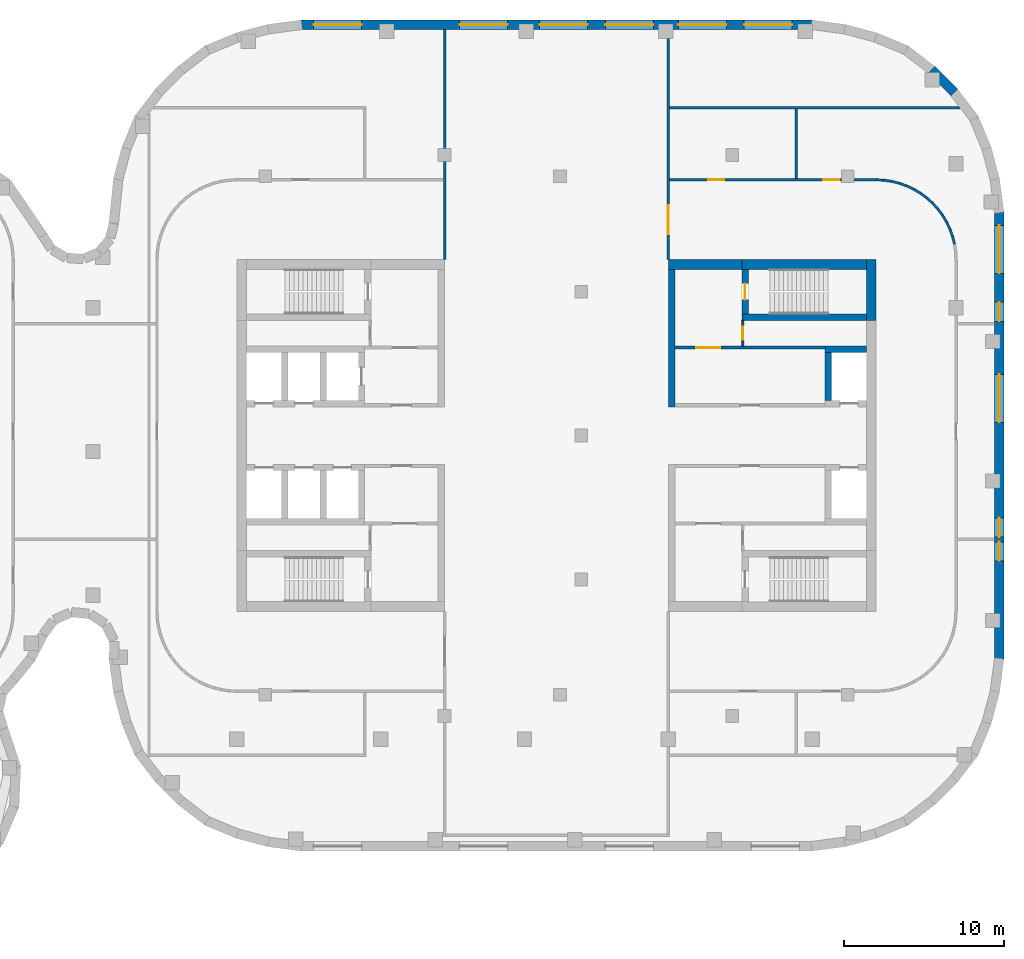
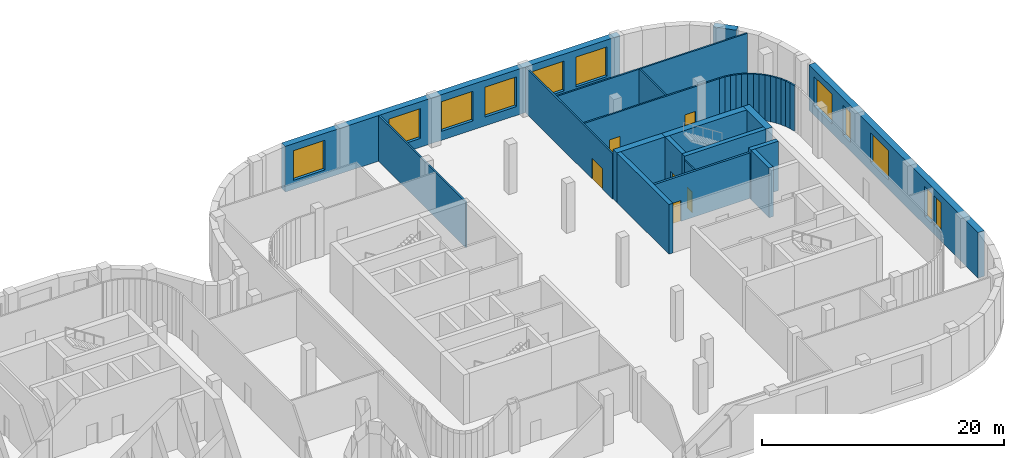
# One storey, part 16 of 20: 32 walls, 11 windows, 6 doors, 17 openings.
"""IFC4 building model written with IfcOpenShell, lengths in metres."""

import ifcopenshell
import ifcopenshell.guid

model = None  # the IFC model being written
_history = None  # IfcOwnerHistory: only IFC2X3 demands one
_inside = {}  # id of a spatial element -> (the spatial element, [elements in it])
_under = {}  # id of a project, library or spatial element -> (it, [spatial elements below it])
_declared = {}  # id of a project -> (the project, [libraries it declares])
_typed = {}  # id of a type object -> (the type object, [elements of that type])
_made_of = {}  # id of a material, layer set ... -> (it, [elements and type objects made of it])


def new_model(schema):
    """Start an empty IFC model of exactly this schema.

    Asked for "IFC4X3", IfcOpenShell would pick the latest addendum, in which some entities
    have other attributes; the version numbers below select the first issue.
    IFC2X3 requires an IfcOwnerHistory on every rooted entity: one is made here for all.
    """
    global model, _history
    if schema == "IFC4X3":
        model = ifcopenshell.file(schema_version=(4, 3, 0, 0))
    else:
        model = ifcopenshell.file(schema=schema)
    _inside.clear()
    _under.clear()
    _declared.clear()
    _typed.clear()
    _made_of.clear()
    _history = None
    if model.schema == "IFC2X3":
        org = make("IfcOrganization", Name="unknown")
        user = make(
            "IfcPersonAndOrganization",
            ThePerson=make("IfcPerson", FamilyName="unknown"),
            TheOrganization=org,
        )
        app = make(
            "IfcApplication",
            ApplicationDeveloper=org,
            Version="unknown",
            ApplicationFullName="unknown",
            ApplicationIdentifier="unknown",
        )
        _history = make(
            "IfcOwnerHistory",
            OwningUser=user,
            OwningApplication=app,
            ChangeAction="ADDED",
            CreationDate=0,
        )
    return model


def make(cls, **values):
    """One entity of the class cls with the attributes given. An attribute that is None is left unset."""
    return model.create_entity(
        cls, **{name: value for name, value in values.items() if value is not None}
    )


def rooted(cls, **values):
    """An entity with a GlobalId (a new one), such as an element, a storey or a relation."""
    return make(cls, GlobalId=ifcopenshell.guid.new(), OwnerHistory=_history, **values)


def si_unit(unit_type, name, prefix=None):
    """IfcSIUnit, for example si_unit("LENGTHUNIT", "METRE", prefix="MILLI")."""
    return make("IfcSIUnit", UnitType=unit_type, Prefix=prefix, Name=name)


def assignment(units):
    """IfcUnitAssignment: the units of a project."""
    return None if units is None else make("IfcUnitAssignment", Units=units)


def point(xyz):
    """IfcCartesianPoint."""
    return None if xyz is None else make("IfcCartesianPoint", Coordinates=xyz)


def direction(xyz):
    """IfcDirection."""
    return None if xyz is None else make("IfcDirection", DirectionRatios=xyz)


def frame(location, z_axis=None, x_axis=None):
    """IfcAxis2Placement3D, a coordinate frame: its origin and axes. An axis left out is left unset."""
    return make(
        "IfcAxis2Placement3D",
        Location=point(location),
        Axis=direction(z_axis),
        RefDirection=direction(x_axis),
    )


def frame_2d(location, x_axis=None):
    """IfcAxis2Placement2D, a coordinate frame in the plane: its origin and x axis."""
    return make(
        "IfcAxis2Placement2D", Location=point(location), RefDirection=direction(x_axis)
    )


def origin():
    """The frame at (0, 0, 0) with its axes left unset."""
    return frame((0.0, 0.0, 0.0))


def place(relative_to, where):
    """IfcLocalPlacement: puts the frame where relative to a parent placement (None: the world)."""
    return make(
        "IfcLocalPlacement", PlacementRelTo=relative_to, RelativePlacement=where
    )


def context(
    kind, dimensions, precision=None, world=None, true_north=None, identifier=None
):
    """IfcGeometricRepresentationContext, for example the 3D "Model" context."""
    return make(
        "IfcGeometricRepresentationContext",
        ContextIdentifier=identifier,
        ContextType=kind,
        CoordinateSpaceDimension=dimensions,
        Precision=precision,
        WorldCoordinateSystem=world,
        TrueNorth=true_north,
    )


def subcontext(parent, identifier, kind, view, scale=None):
    """IfcGeometricRepresentationSubContext, for example "Body" below "Model"."""
    return make(
        "IfcGeometricRepresentationSubContext",
        ContextIdentifier=identifier,
        ContextType=kind,
        ParentContext=parent,
        TargetScale=scale,
        TargetView=view,
    )


def project(units=None, contexts=None):
    """IfcProject with its units and contexts."""
    return rooted(
        "IfcProject",
        Name="project",
        RepresentationContexts=contexts,
        UnitsInContext=assignment(units),
    )


def spatial(cls, under=None, at=None, **own):
    """A site, building, storey or space (cls), placed at a placement, below another one or the project."""
    s = rooted(cls, ObjectPlacement=at, **own)
    if under is not None:
        _under.setdefault(under.id(), (under, []))[1].append(s)
    return s


def profile(cls, at=None, kind="AREA", **sizes):
    """A parametric profile (cls). Its sizes go by their IFC names, for example OverallWidth=200.0."""
    return make(cls, ProfileType=kind, Position=at, **sizes)


def rectangle(**sizes):
    """IfcRectangleProfileDef."""
    return profile("IfcRectangleProfileDef", **sizes)


def extrude(swept, where, along, depth):
    """IfcExtrudedAreaSolid: the profile swept, set in the frame where, extruded along a direction by depth."""
    return make(
        "IfcExtrudedAreaSolid",
        SweptArea=swept,
        Position=where,
        ExtrudedDirection=direction(along),
        Depth=depth,
    )


def shape(context_of_items, identifier, shape_type, items):
    """IfcShapeRepresentation: the items that make up one representation, for example the "Body"."""
    return make(
        "IfcShapeRepresentation",
        ContextOfItems=context_of_items,
        RepresentationIdentifier=identifier,
        RepresentationType=shape_type,
        Items=items,
    )


def material(Name=None, Category=None):
    """IfcMaterial."""
    return make("IfcMaterial", Name=Name, Category=Category)


def layer(
    of_material, thickness, ventilated=None, Name=None, Category=None, Priority=None
):
    """IfcMaterialLayer: one layer of a wall or slab, of a material (None: an air gap)."""
    return make(
        "IfcMaterialLayer",
        Material=of_material,
        LayerThickness=thickness,
        IsVentilated=ventilated,
        Name=Name,
        Category=Category,
        Priority=Priority,
    )


def layer_set(layers, Name=None):
    """IfcMaterialLayerSet."""
    return make("IfcMaterialLayerSet", MaterialLayers=layers, LayerSetName=Name)


def made_of(thing, what):
    """Note that an element or type object is made of a material, layer set ...; save() writes the relation."""
    if what is not None:
        _made_of.setdefault(what.id(), (what, []))[1].append(thing)
    return thing


def type_object(cls, material=None, **own):
    """A type object (cls), such as IfcWallType, which elements share."""
    return made_of(rooted(cls, **own), material)


def element(
    cls,
    number,
    at=None,
    inside=None,
    cuts=None,
    type_object=None,
    material=None,
    context=None,
    identifier="Body",
    shape_type=None,
    held_by="IfcProductDefinitionShape",
    body=None,
    shapes=None,
    **own,
):
    """One element of the class cls, such as IfcWall. Its Tag is "e" and its number.

    at: its placement. inside: the storey or other place that contains it. cuts: it is an
    opening in that element (IfcRelVoidsElement). A single representation is given by context,
    identifier, shape_type and body (its items); several are given by shapes. held_by: the class
    of the entity that holds the representations. save() writes the other relations.
    """
    e = rooted(cls, Tag="e%d" % number, ObjectPlacement=at, **own)
    if body is not None:
        shapes = [shape(context, identifier, shape_type, body)]
    if shapes is not None:
        e.Representation = make(held_by, Representations=shapes)
    if inside is not None:
        _inside.setdefault(inside.id(), (inside, []))[1].append(e)
    if cuts is not None:
        rooted(
            "IfcRelVoidsElement", RelatingBuildingElement=cuts, RelatedOpeningElement=e
        )
    if type_object is not None:
        _typed.setdefault(type_object.id(), (type_object, []))[1].append(e)
    return made_of(e, material)


def fill(opening, filler):
    """IfcRelFillsElement: the door or window that sits in an opening."""
    return rooted(
        "IfcRelFillsElement",
        RelatingOpeningElement=opening,
        RelatedBuildingElement=filler,
    )


def aggregate(whole, parts):
    """IfcRelAggregates: a whole, such as a stair, and the parts it consists of."""
    return rooted("IfcRelAggregates", RelatingObject=whole, RelatedObjects=parts)


def save(model, path):
    """Write the relations noted so far, then the file.

    IfcRelAggregates (storeys below a building ...), IfcRelContainedInSpatialStructure (elements
    in a storey), IfcRelDefinesByType, IfcRelAssociatesMaterial and IfcRelDeclares: one each for
    every whole, place, type object, material and project.
    """
    for whole, parts in _under.values():
        aggregate(whole, parts)
    for where, things in _inside.values():
        rooted(
            "IfcRelContainedInSpatialStructure",
            RelatedElements=things,
            RelatingStructure=where,
        )
    for kind, things in _typed.values():
        rooted("IfcRelDefinesByType", RelatedObjects=things, RelatingType=kind)
    for what, things in _made_of.values():
        rooted("IfcRelAssociatesMaterial", RelatedObjects=things, RelatingMaterial=what)
    for by, libraries in _declared.values():
        rooted("IfcRelDeclares", RelatingContext=by, RelatedDefinitions=libraries)
    model.write(path)


model = new_model("IFC4")

# Units and contexts
model_context = context("Model", 3, precision=1e-05, world=origin(), true_north=direction((0.0, 1.0)))
body_context = subcontext(model_context, "Body", "Model", "MODEL_VIEW")
ifc_project = project(units=[si_unit("LENGTHUNIT", "METRE"), si_unit("AREAUNIT", "SQUARE_METRE"), si_unit("VOLUMEUNIT", "CUBIC_METRE"), si_unit("PLANEANGLEUNIT", "RADIAN"), si_unit("MASSUNIT", "GRAM", prefix="KILO")], contexts=[model_context])

# Site, building, storey
site_placement = place(None, origin())
site = spatial("IfcSite", under=ifc_project, at=site_placement, CompositionType="ELEMENT")
building_placement = place(site_placement, origin())
building = spatial("IfcBuilding", under=site, at=building_placement, Name="Skarvind Civic Tower", CompositionType="ELEMENT")
storey_placement = place(building_placement, frame((0.0, 0.0, 17.5)))
storey = spatial("IfcBuildingStorey", under=building, at=storey_placement, Name="L03", CompositionType="ELEMENT", Elevation=17.5)

# Wall, opening, door
ifc_material_1 = material(Name="Fire-rated masonry partition", Category="masonry")
ifc_layer_1 = layer(ifc_material_1, 0.199951171875)
ifc_layer_set_1 = layer_set([ifc_layer_1], Name="Core enclosure wall 200")
wall_type_1 = type_object("IfcWallType", Name="Core enclosure wall 200", PredefinedType="PARTITIONING", material=ifc_layer_set_1)
wall_1_placement = place(storey_placement, frame((154.39990234375, 133.5, 0.0), z_axis=(0.0, 0.0, 1.0), x_axis=(1.0, 0.0, 0.0)))
wall_1 = element("IfcWall", 1, at=wall_1_placement, inside=storey, type_object=wall_type_1, Name="Core wall CB", PredefinedType="PARTITIONING", context=body_context, shape_type="SweptSolid", body=[
    extrude(rectangle(XDim=9.400146484375, YDim=0.199951171875, at=frame_2d((4.7001953125, 0.0))), origin(), (0.0, 0.0, 1.0), 4.60009765625),
])
opening_1_placement = place(wall_1_placement, frame((1.35009765625, 0.0, 0.0)))
opening_1 = element("IfcOpeningElement", 2, at=opening_1_placement, cuts=wall_1, Name="Opening D-L03-CB-08", PredefinedType="OPENING", context=body_context, shape_type="SweptSolid", body=[
    extrude(rectangle(XDim=1.5, YDim=2.10009765625, at=frame_2d((0.75, 1.050048828125))), frame((0.0, 0.10986328125, 0.0), z_axis=(0.0, -1.0, 0.0), x_axis=(1.0, 0.0, 0.0)), (0.0, 0.0, 1.0), 0.219970703125),
])
ifc_material_2 = material(Name="Fire-rated steel door", Category="steel")
door_type_1 = type_object("IfcDoorType", Name="Fire door 1500", OperationType="NOTDEFINED", PredefinedType="DOOR", material=ifc_material_2)
door_1_placement = place(opening_1_placement, origin())
door_1 = element("IfcDoor", 3, at=door_1_placement, inside=storey, type_object=door_type_1, Name="Fire door", OperationType="DOUBLE_DOOR_SINGLE_SWING", OverallHeight=2.10009765625, OverallWidth=1.5, PredefinedType="DOOR", context=body_context, shape_type="SweptSolid", body=[
    extrude(rectangle(XDim=1.5, YDim=2.10009765625, at=frame_2d((0.75, 1.050048828125))), frame((0.0, 0.02490234375, 0.0), z_axis=(0.0, -1.0, 0.0), x_axis=(1.0, 0.0, 0.0)), (0.0, 0.0, 1.0), 0.050048828125),
])
fill(opening_1, door_1)

# Wall
ifc_material_3 = material(Name="Concrete C80", Category="concrete")
ifc_layer_2 = layer(ifc_material_3, 0.39990234375)
ifc_layer_set_2 = layer_set([ifc_layer_2], Name="Core wall 400 C80")
wall_type_2 = type_object("IfcWallType", Name="Core wall 400 C80", PredefinedType="SHEAR", material=ifc_layer_set_2)
wall_2_placement = place(storey_placement, frame((166.39990234375, 135.39990234375, 0.0), z_axis=(0.0, 0.0, 1.0), x_axis=(-1.0, 0.0, 0.0)))
element("IfcWall", 4, at=wall_2_placement, inside=storey, type_object=wall_type_2, Name="Core wall CB south stair inner L03", PredefinedType="SHEAR", context=body_context, shape_type="SweptSolid", body=[
    extrude(rectangle(XDim=7.7998046875, YDim=0.39990234375, at=frame_2d((3.89990234375, 0.0))), origin(), (0.0, 0.0, 1.0), 5.0),
])

# Wall, opening, door
wall_3_placement = place(storey_placement, frame((158.800048828125, 138.39990234375, 0.0), z_axis=(0.0, 0.0, 1.0), x_axis=(0.0, -1.0, 0.0)))
wall_3 = element("IfcWall", 5, at=wall_3_placement, inside=storey, type_object=wall_type_2, Name="Core wall CB south stair end L03", PredefinedType="SHEAR", context=body_context, shape_type="SweptSolid", body=[
    extrude(rectangle(XDim=2.7998046875, YDim=0.39990234375, at=frame_2d((1.39990234375, 0.0))), origin(), (0.0, 0.0, 1.0), 5.0),
])
opening_2_placement = place(wall_3_placement, frame((0.89990234375, 0.0, 0.0)))
opening_2 = element("IfcOpeningElement", 6, at=opening_2_placement, cuts=wall_3, Name="Opening D-L03-CB-09", PredefinedType="OPENING", context=body_context, shape_type="SweptSolid", body=[
    extrude(rectangle(XDim=1.0, YDim=2.10009765625, at=frame_2d((0.5, 1.050048828125))), frame((0.0, 0.2099609375, 0.0), z_axis=(0.0, -1.0, 0.0), x_axis=(1.0, 0.0, 0.0)), (0.0, 0.0, 1.0), 0.419921875),
])
door_type_2 = type_object("IfcDoorType", Name="Fire door 1000", OperationType="NOTDEFINED", PredefinedType="DOOR", material=ifc_material_2)
door_2_placement = place(opening_2_placement, origin())
door_2 = element("IfcDoor", 7, at=door_2_placement, inside=storey, type_object=door_type_2, Name="Fire door", OperationType="SINGLE_SWING_RIGHT", OverallHeight=2.10009765625, OverallWidth=1.0, PredefinedType="DOOR", context=body_context, shape_type="SweptSolid", body=[
    extrude(rectangle(XDim=1.0, YDim=2.10009765625, at=frame_2d((0.5, 1.050048828125))), frame((0.0, 0.02490234375, 0.0), z_axis=(0.0, -1.0, 0.0), x_axis=(1.0, 0.0, 0.0)), (0.0, 0.0, 1.0), 0.050048828125),
])
fill(opening_2, door_2)

# Walls
wall_4_placement = place(storey_placement, frame((166.39990234375, 133.39990234375, 0.0), z_axis=(0.0, 0.0, 1.0), x_axis=(-1.0, 0.0, 0.0)))
element("IfcWall", 8, at=wall_4_placement, inside=storey, type_object=wall_type_2, Name="Core wall CB south lift row back L03", PredefinedType="SHEAR", context=body_context, shape_type="SweptSolid", body=[
    extrude(rectangle(XDim=2.599853515625, YDim=0.39990234375, at=frame_2d((1.2998046875, 0.0))), origin(), (0.0, 0.0, 1.0), 5.0),
])
wall_5_placement = place(storey_placement, frame((164.0, 133.199951171875, 0.0), z_axis=(0.0, 0.0, 1.0), x_axis=(0.0, -1.0, 0.0)))
element("IfcWall", 9, at=wall_5_placement, inside=storey, type_object=wall_type_2, Name="Core wall CB south lift row division 1 L03", PredefinedType="SHEAR", context=body_context, shape_type="SweptSolid", body=[
    extrude(rectangle(XDim=3.0, YDim=0.39990234375, at=frame_2d((1.5, 0.0))), origin(), (0.0, 0.0, 1.0), 5.0),
])
wall_6_placement = place(storey_placement, frame((154.199951171875, 138.39990234375, 0.0), z_axis=(0.0, 0.0, 1.0), x_axis=(0.0, -1.0, 0.0)))
element("IfcWall", 10, at=wall_6_placement, inside=storey, type_object=wall_type_2, Name="Core wall CB south inner face L03", PredefinedType="SHEAR", context=body_context, shape_type="SweptSolid", body=[
    extrude(rectangle(XDim=8.599853515625, YDim=0.39990234375, at=frame_2d((4.2998046875, 0.0))), origin(), (0.0, 0.0, 1.0), 5.0),
])
ifc_layer_3 = layer(ifc_material_3, 0.60009765625)
ifc_layer_set_3 = layer_set([ifc_layer_3], Name="Core wall 600 C80")
wall_type_3 = type_object("IfcWallType", Name="Core wall 600 C80", PredefinedType="SHEAR", material=ifc_layer_set_3)
wall_7_placement = place(storey_placement, frame((166.699951171875, 139.0, 0.0), z_axis=(0.0, 0.0, 1.0), x_axis=(0.0, -1.0, 0.0)))
element("IfcWall", 11, at=wall_7_placement, inside=storey, type_object=wall_type_3, Name="Core wall CB tip at the south stair L03", PredefinedType="SHEAR", context=body_context, shape_type="SweptSolid", body=[
    extrude(rectangle(XDim=3.800048828125, YDim=0.60009765625, at=frame_2d((1.89990234375, 0.0))), origin(), (0.0, 0.0, 1.0), 5.0),
])
wall_8_placement = place(storey_placement, frame((166.39990234375, 138.699951171875, 0.0), z_axis=(0.0, 0.0, 1.0), x_axis=(-1.0, 0.0, 0.0)))
element("IfcWall", 12, at=wall_8_placement, inside=storey, type_object=wall_type_3, Name="Core wall CB south side at the stair L03", PredefinedType="SHEAR", context=body_context, shape_type="SweptSolid", body=[
    extrude(rectangle(XDim=7.7998046875, YDim=0.60009765625, at=frame_2d((3.89990234375, 0.0))), origin(), (0.0, 0.0, 1.0), 5.0),
])
wall_9_placement = place(storey_placement, frame((158.60009765625, 138.699951171875, 0.0), z_axis=(0.0, 0.0, 1.0), x_axis=(-1.0, 0.0, 0.0)))
element("IfcWall", 13, at=wall_9_placement, inside=storey, type_object=wall_type_3, Name="Core wall CB south side L03", PredefinedType="SHEAR", context=body_context, shape_type="SweptSolid", body=[
    extrude(rectangle(XDim=4.60009765625, YDim=0.60009765625, at=frame_2d((2.300048828125, 0.0))), origin(), (0.0, 0.0, 1.0), 5.0),
])
ifc_material_4 = material(Name="Plasterboard partition on steel studs", Category="steel")
ifc_layer_4 = layer(ifc_material_4, 0.14990234375)
ifc_layer_set_4 = layer_set([ifc_layer_4], Name="PARTITION 150")
wall_type_4 = type_object("IfcWallType", Name="PARTITION 150", PredefinedType="PARTITIONING", material=ifc_layer_set_4)
wall_10_placement = place(storey_placement, frame((140.0, 139.0, 0.0), z_axis=(0.0, 0.0, 1.0), x_axis=(0.0, 1.0, 0.0)))
element("IfcWall", 14, at=wall_10_placement, inside=storey, type_object=wall_type_4, Name="Podium partition L03 278", PredefinedType="PARTITIONING", context=body_context, shape_type="SweptSolid", body=[
    extrude(rectangle(XDim=14.39990234375, YDim=0.14990234375, at=frame_2d((7.199951171875, 0.0))), origin(), (0.0, 0.0, 1.0), 4.60009765625),
])

# Wall, opening, door
wall_11_placement = place(storey_placement, frame((154.0, 153.39990234375, 0.0), z_axis=(0.0, 0.0, 1.0), x_axis=(0.0, -1.0, 0.0)))
wall_11 = element("IfcWall", 15, at=wall_11_placement, inside=storey, type_object=wall_type_4, Name="Podium partition L03 282", PredefinedType="PARTITIONING", context=body_context, shape_type="SweptSolid", body=[
    extrude(rectangle(XDim=14.39990234375, YDim=0.14990234375, at=frame_2d((7.199951171875, 0.0))), origin(), (0.0, 0.0, 1.0), 4.60009765625),
])
opening_3_placement = place(wall_11_placement, frame((11.0, 0.0, 0.0)))
opening_3 = element("IfcOpeningElement", 16, at=opening_3_placement, cuts=wall_11, Name="Opening L03-D237", PredefinedType="OPENING", context=body_context, shape_type="SweptSolid", body=[
    extrude(rectangle(XDim=1.800048828125, YDim=2.10009765625, at=frame_2d((0.89990234375, 1.050048828125))), frame((0.0, 0.0849609375, 0.0), z_axis=(0.0, -1.0, 0.0), x_axis=(1.0, 0.0, 0.0)), (0.0, 0.0, 1.0), 0.169921875),
])
ifc_material_5 = material(Name="Timber veneer door leaf", Category="wood")
door_type_3 = type_object("IfcDoorType", Name="DOOR 1800X2100 DOUBLE TIMBER", OperationType="NOTDEFINED", PredefinedType="DOOR", material=ifc_material_5)
door_3_placement = place(opening_3_placement, origin())
door_3 = element("IfcDoor", 17, at=door_3_placement, inside=storey, type_object=door_type_3, Name="DOOR DOOR", OperationType="DOUBLE_DOOR_SINGLE_SWING", OverallHeight=2.10009765625, OverallWidth=1.800048828125, PredefinedType="DOOR", context=body_context, shape_type="SweptSolid", body=[
    extrude(rectangle(XDim=1.800048828125, YDim=2.10009765625, at=frame_2d((0.89990234375, 1.050048828125))), frame((0.0, 0.02490234375, 0.0), z_axis=(0.0, -1.0, 0.0), x_axis=(1.0, 0.0, 0.0)), (0.0, 0.0, 1.0), 0.050048828125),
])
fill(opening_3, door_3)

# Wall, openings, doors
wall_12_placement = place(storey_placement, frame((154.074951171875, 144.0, 0.0), z_axis=(0.0, 0.0, 1.0), x_axis=(1.0, 0.0, 0.0)))
wall_12 = element("IfcWall", 18, at=wall_12_placement, inside=storey, type_object=wall_type_4, Name="Podium partition L03 283", PredefinedType="PARTITIONING", context=body_context, shape_type="SweptSolid", body=[
    extrude(rectangle(XDim=12.927001953125, YDim=0.14990234375, at=frame_2d((6.46337890625, 0.0))), origin(), (0.0, 0.0, 1.0), 4.60009765625),
])
opening_4_placement = place(wall_12_placement, frame((2.427001953125, 0.0, 0.0)))
opening_4 = element("IfcOpeningElement", 19, at=opening_4_placement, cuts=wall_12, Name="Opening L03-D238", PredefinedType="OPENING", context=body_context, shape_type="SweptSolid", body=[
    extrude(rectangle(XDim=1.0, YDim=2.10009765625, at=frame_2d((0.5, 1.050048828125))), frame((0.0, 0.0849609375, 0.0), z_axis=(0.0, -1.0, 0.0), x_axis=(1.0, 0.0, 0.0)), (0.0, 0.0, 1.0), 0.169921875),
])
opening_5_placement = place(wall_12_placement, frame((9.623046875, 0.0, 0.0)))
opening_5 = element("IfcOpeningElement", 20, at=opening_5_placement, cuts=wall_12, Name="Opening L03-D241", PredefinedType="OPENING", context=body_context, shape_type="SweptSolid", body=[
    extrude(rectangle(XDim=1.0, YDim=2.10009765625, at=frame_2d((0.5, 1.050048828125))), frame((0.0, 0.0849609375, 0.0), z_axis=(0.0, -1.0, 0.0), x_axis=(1.0, 0.0, 0.0)), (0.0, 0.0, 1.0), 0.169921875),
])
door_type_4 = type_object("IfcDoorType", Name="DOOR 1000X2100 TIMBER", OperationType="NOTDEFINED", PredefinedType="DOOR", material=ifc_material_5)
door_4_placement = place(opening_4_placement, origin())
door_4 = element("IfcDoor", 21, at=door_4_placement, inside=storey, type_object=door_type_4, Name="DOOR DOOR", OperationType="SINGLE_SWING_LEFT", OverallHeight=2.10009765625, OverallWidth=1.0, PredefinedType="DOOR", context=body_context, shape_type="SweptSolid", body=[
    extrude(rectangle(XDim=1.0, YDim=2.10009765625, at=frame_2d((0.5, 1.050048828125))), frame((0.0, 0.02490234375, 0.0), z_axis=(0.0, -1.0, 0.0), x_axis=(1.0, 0.0, 0.0)), (0.0, 0.0, 1.0), 0.050048828125),
])
fill(opening_4, door_4)
door_5_placement = place(opening_5_placement, origin())
door_5 = element("IfcDoor", 22, at=door_5_placement, inside=storey, type_object=door_type_4, Name="DOOR DOOR", OperationType="SINGLE_SWING_LEFT", OverallHeight=2.10009765625, OverallWidth=1.0, PredefinedType="DOOR", context=body_context, shape_type="SweptSolid", body=[
    extrude(rectangle(XDim=1.0, YDim=2.10009765625, at=frame_2d((0.5, 1.050048828125))), frame((0.0, 0.02490234375, 0.0), z_axis=(0.0, -1.0, 0.0), x_axis=(1.0, 0.0, 0.0)), (0.0, 0.0, 1.0), 0.050048828125),
])
fill(opening_5, door_5)

# Walls
wall_13_placement = place(storey_placement, frame((154.074951171875, 148.5, 0.0), z_axis=(0.0, 0.0, 1.0), x_axis=(1.0, 0.0, 0.0)))
element("IfcWall", 23, at=wall_13_placement, inside=storey, type_object=wall_type_4, Name="Podium partition L03 284", PredefinedType="PARTITIONING", context=body_context, shape_type="SweptSolid", body=[
    extrude(rectangle(XDim=18.173095703125, YDim=0.14990234375, at=frame_2d((9.08642578125, 0.0))), origin(), (0.0, 0.0, 1.0), 4.60009765625),
])
wall_14_placement = place(storey_placement, frame((162.0, 144.074951171875, 0.0), z_axis=(0.0, 0.0, 1.0), x_axis=(0.0, 1.0, 0.0)))
element("IfcWall", 24, at=wall_14_placement, inside=storey, type_object=wall_type_4, Name="Podium partition L03 286", PredefinedType="PARTITIONING", context=body_context, shape_type="SweptSolid", body=[
    extrude(rectangle(XDim=4.35009765625, YDim=0.14990234375, at=frame_2d((2.175048828125, 0.0))), origin(), (0.0, 0.0, 1.0), 4.60009765625),
])
wall_15_placement = place(storey_placement, frame((166.998046875, 144.0, 0.0), z_axis=(0.0, 0.0, 1.0), x_axis=(0.998837896651, -0.048196018647, 0.0)))
element("IfcWall", 25, at=wall_15_placement, inside=storey, type_object=wall_type_4, Name="Podium partition L03 288", PredefinedType="PARTITIONING", context=body_context, shape_type="SweptSolid", body=[
    extrude(rectangle(XDim=0.496337890625, YDim=0.14990234375, at=frame_2d((0.248046875, 0.0))), origin(), (0.0, 0.0, 1.0), 4.60009765625),
])
wall_16_placement = place(storey_placement, frame((167.486083984375, 143.97705078125, 0.0), z_axis=(0.0, 0.0, 1.0), x_axis=(0.988925572052, -0.148412307247, 0.0)))
element("IfcWall", 26, at=wall_16_placement, inside=storey, type_object=wall_type_4, Name="Podium partition L03 290", PredefinedType="PARTITIONING", context=body_context, shape_type="SweptSolid", body=[
    extrude(rectangle(XDim=0.49853515625, YDim=0.14990234375, at=frame_2d((0.249267578125, 0.0))), origin(), (0.0, 0.0, 1.0), 4.60009765625),
])
wall_17_placement = place(storey_placement, frame((167.970947265625, 143.905029296875, 0.0), z_axis=(0.0, 0.0, 1.0), x_axis=(0.970113715952, -0.242650732785, 0.0)))
element("IfcWall", 27, at=wall_17_placement, inside=storey, type_object=wall_type_4, Name="Podium partition L03 292", PredefinedType="PARTITIONING", context=body_context, shape_type="SweptSolid", body=[
    extrude(rectangle(XDim=0.4990234375, YDim=0.14990234375, at=frame_2d((0.24951171875, 0.0))), origin(), (0.0, 0.0, 1.0), 4.60009765625),
])
for number, where, z_axis, x_axis, name in (
    (28, (168.447021484375, 143.785888671875, 0.0), (0.0, 0.0, 1.0), (0.941442168887, -0.3371744988, 0.0), "Podium partition L03 294"),
    (29, (168.909912109375, 143.62109375, 0.0), (0.0, 0.0, 1.0), (0.903827641978, -0.427896709028, 0.0), "Podium partition L03 296"),
):
    element("IfcWall", number, at=place(storey_placement, frame(where, z_axis=z_axis, x_axis=x_axis)), inside=storey, type_object=wall_type_4, Name=name, PredefinedType="PARTITIONING", context=body_context, shape_type="SweptSolid", body=[
        extrude(rectangle(XDim=0.498046875, YDim=0.14990234375, at=frame_2d((0.2490234375, 0.0))), origin(), (0.0, 0.0, 1.0), 4.60009765625),
    ])
wall_18_placement = place(storey_placement, frame((169.35400390625, 143.412109375, 0.0), z_axis=(0.0, 0.0, 1.0), x_axis=(0.85671397893, -0.515791778052, 0.0)))
element("IfcWall", 30, at=wall_18_placement, inside=storey, type_object=wall_type_4, Name="Podium partition L03 298", PredefinedType="PARTITIONING", context=body_context, shape_type="SweptSolid", body=[
    extrude(rectangle(XDim=0.49853515625, YDim=0.14990234375, at=frame_2d((0.249267578125, 0.0))), origin(), (0.0, 0.0, 1.0), 4.60009765625),
])
wall_19_placement = place(storey_placement, frame((169.77490234375, 143.158935546875, 0.0), z_axis=(0.0, 0.0, 1.0), x_axis=(0.80404358372, -0.594570362092, 0.0)))
element("IfcWall", 31, at=wall_19_placement, inside=storey, type_object=wall_type_4, Name="Podium partition L03 300", PredefinedType="PARTITIONING", context=body_context, shape_type="SweptSolid", body=[
    extrude(rectangle(XDim=0.49755859375, YDim=0.14990234375, at=frame_2d((0.248779296875, 0.0))), origin(), (0.0, 0.0, 1.0), 4.60009765625),
])
for number, where, z_axis, x_axis, name in (
    (32, (170.1689453125, 142.866943359375, 0.0), (0.0, 0.0, 1.0), (0.742416880587, -0.66993818776, 0.0), "Podium partition L03 302"),
    (33, (170.532958984375, 142.5390625, 0.0), (0.0, 0.0, 1.0), (0.66993818776, -0.742416880587, 0.0), "Podium partition L03 304"),
):
    element("IfcWall", number, at=place(storey_placement, frame(where, z_axis=z_axis, x_axis=x_axis)), inside=storey, type_object=wall_type_4, Name=name, PredefinedType="PARTITIONING", context=body_context, shape_type="SweptSolid", body=[
        extrude(rectangle(XDim=0.49853515625, YDim=0.14990234375, at=frame_2d((0.249267578125, 0.0))), origin(), (0.0, 0.0, 1.0), 4.60009765625),
    ])
wall_20_placement = place(storey_placement, frame((170.863037109375, 142.175048828125, 0.0), z_axis=(0.0, 0.0, 1.0), x_axis=(0.594570362092, -0.80404358372, 0.0)))
element("IfcWall", 34, at=wall_20_placement, inside=storey, type_object=wall_type_4, Name="Podium partition L03 306", PredefinedType="PARTITIONING", context=body_context, shape_type="SweptSolid", body=[
    extrude(rectangle(XDim=0.49755859375, YDim=0.14990234375, at=frame_2d((0.248779296875, 0.0))), origin(), (0.0, 0.0, 1.0), 4.60009765625),
])
wall_21_placement = place(storey_placement, frame((171.155029296875, 141.781005859375, 0.0), z_axis=(0.0, 0.0, 1.0), x_axis=(0.515791778052, -0.85671397893, 0.0)))
element("IfcWall", 35, at=wall_21_placement, inside=storey, type_object=wall_type_4, Name="Podium partition L03 308", PredefinedType="PARTITIONING", context=body_context, shape_type="SweptSolid", body=[
    extrude(rectangle(XDim=0.49853515625, YDim=0.14990234375, at=frame_2d((0.249267578125, 0.0))), origin(), (0.0, 0.0, 1.0), 4.60009765625),
])
for number, where, z_axis, x_axis, name in (
    (36, (171.407958984375, 141.360107421875, 0.0), (0.0, 0.0, 1.0), (0.427896709028, -0.903827641978, 0.0), "Podium partition L03 310"),
    (37, (171.617919921875, 140.916015625, 0.0), (0.0, 0.0, 1.0), (0.3371744988, -0.941442168887, 0.0), "Podium partition L03 312"),
):
    element("IfcWall", number, at=place(storey_placement, frame(where, z_axis=z_axis, x_axis=x_axis)), inside=storey, type_object=wall_type_4, Name=name, PredefinedType="PARTITIONING", context=body_context, shape_type="SweptSolid", body=[
        extrude(rectangle(XDim=0.498046875, YDim=0.14990234375, at=frame_2d((0.2490234375, 0.0))), origin(), (0.0, 0.0, 1.0), 4.60009765625),
    ])
wall_22_placement = place(storey_placement, frame((171.783935546875, 140.455078125, 0.0), z_axis=(0.0, 0.0, 1.0), x_axis=(0.242650732785, -0.970113715952, 0.0)))
element("IfcWall", 38, at=wall_22_placement, inside=storey, type_object=wall_type_4, Name="Podium partition L03 314", PredefinedType="PARTITIONING", context=body_context, shape_type="SweptSolid", body=[
    extrude(rectangle(XDim=0.4990234375, YDim=0.14990234375, at=frame_2d((0.24951171875, 0.0))), origin(), (0.0, 0.0, 1.0), 4.60009765625),
])

# Wall, opening, door
ifc_layer_5 = layer(ifc_material_1, 0.125)
ifc_layer_set_5 = layer_set([ifc_layer_5], Name="Riser wall 125")
wall_type_5 = type_object("IfcWallType", Name="Riser wall 125", PredefinedType="PARTITIONING", material=ifc_layer_set_5)
wall_23_placement = place(storey_placement, frame((158.66259765625, 133.60009765625, 0.0), z_axis=(0.0, 0.0, 1.0), x_axis=(0.0, 1.0, 0.0)))
wall_23 = element("IfcWall", 39, at=wall_23_placement, inside=storey, type_object=wall_type_5, Name="Core wall CB", PredefinedType="PARTITIONING", context=body_context, shape_type="SweptSolid", body=[
    extrude(rectangle(XDim=1.599853515625, YDim=0.125, at=frame_2d((0.7998046875, 0.0))), origin(), (0.0, 0.0, 1.0), 4.60009765625),
])
opening_6_placement = place(wall_23_placement, frame((0.39990234375, 0.0, 0.0)))
opening_6 = element("IfcOpeningElement", 40, at=opening_6_placement, cuts=wall_23, Name="Opening D-L03-CB-10", PredefinedType="OPENING", context=body_context, shape_type="SweptSolid", body=[
    extrude(rectangle(XDim=0.800048828125, YDim=2.10009765625, at=frame_2d((0.39990234375, 1.050048828125))), frame((0.0, 0.072509765625, 0.0), z_axis=(0.0, -1.0, 0.0), x_axis=(1.0, 0.0, 0.0)), (0.0, 0.0, 1.0), 0.14501953125),
])
door_type_5 = type_object("IfcDoorType", Name="Core riser door 800", OperationType="NOTDEFINED", PredefinedType="DOOR", material=ifc_material_2)
door_6_placement = place(opening_6_placement, origin())
door_6 = element("IfcDoor", 41, at=door_6_placement, inside=storey, type_object=door_type_5, Name="Riser door", OperationType="SINGLE_SWING_LEFT", OverallHeight=2.10009765625, OverallWidth=0.800048828125, PredefinedType="DOOR", context=body_context, shape_type="SweptSolid", body=[
    extrude(rectangle(XDim=0.800048828125, YDim=2.10009765625, at=frame_2d((0.39990234375, 1.050048828125))), frame((0.0, 0.02490234375, 0.0), z_axis=(0.0, -1.0, 0.0), x_axis=(1.0, 0.0, 0.0)), (0.0, 0.0, 1.0), 0.050048828125),
])
fill(opening_6, door_6)

# Wall, openings, windows
ifc_material_6 = material(Name="Limestone masonry cladding on insulated backing", Category="masonry")
ifc_layer_6 = layer(ifc_material_6, 0.60009765625)
ifc_layer_set_6 = layer_set([ifc_layer_6], Name="WX1 STONE FACADE WALL 600")
wall_type_6 = type_object("IfcWallType", Name="WX1 STONE FACADE WALL 600", PredefinedType="SOLIDWALL", material=ifc_layer_set_6)
wall_24_placement = place(storey_placement, frame((174.699951171875, 141.978271484375, 0.0), z_axis=(0.0, 0.0, 1.0), x_axis=(0.0, -1.0, 0.0)))
wall_24 = element("IfcWall", 42, at=wall_24_placement, inside=storey, type_object=wall_type_6, Name="STONE FACADE WALL", PredefinedType="SOLIDWALL", context=body_context, shape_type="SweptSolid", body=[
    extrude(rectangle(XDim=27.95654296875, YDim=0.60009765625, at=frame_2d((13.978271484375, 0.0))), origin(), (0.0, 0.0, 1.0), 4.60009765625),
])
opening_7_placement = place(wall_24_placement, frame((0.82958984375, 0.0, 0.89990234375)))
opening_7 = element("IfcOpeningElement", 43, at=opening_7_placement, cuts=wall_24, Name="Opening WN2", PredefinedType="OPENING", context=body_context, shape_type="SweptSolid", body=[
    extrude(rectangle(XDim=3.0, YDim=3.0, at=frame_2d((1.5, 1.5))), frame((0.0, 0.31005859375, 0.0), z_axis=(0.0, -1.0, 0.0), x_axis=(1.0, 0.0, 0.0)), (0.0, 0.0, 1.0), 0.6201171875),
])
opening_8_placement = place(wall_24_placement, frame((5.628173828125, 0.0, 0.89990234375)))
opening_8 = element("IfcOpeningElement", 44, at=opening_8_placement, cuts=wall_24, Name="Opening WN6", PredefinedType="OPENING", context=body_context, shape_type="SweptSolid", body=[
    extrude(rectangle(XDim=1.199951171875, YDim=3.0, at=frame_2d((0.60009765625, 1.5))), frame((0.0, 0.31005859375, 0.0), z_axis=(0.0, -1.0, 0.0), x_axis=(1.0, 0.0, 0.0)), (0.0, 0.0, 1.0), 0.6201171875),
])
opening_9_placement = place(wall_24_placement, frame((10.1484375, 0.0, 0.89990234375)))
opening_9 = element("IfcOpeningElement", 45, at=opening_9_placement, cuts=wall_24, Name="Opening WN2", PredefinedType="OPENING", context=body_context, shape_type="SweptSolid", body=[
    extrude(rectangle(XDim=3.0, YDim=3.0, at=frame_2d((1.5, 1.5))), frame((0.0, 0.31005859375, 0.0), z_axis=(0.0, -1.0, 0.0), x_axis=(1.0, 0.0, 0.0)), (0.0, 0.0, 1.0), 0.6201171875),
])
opening_10_placement = place(wall_24_placement, frame((19.128173828125, 0.0, 0.89990234375)))
opening_10 = element("IfcOpeningElement", 46, at=opening_10_placement, cuts=wall_24, Name="Opening WN6", PredefinedType="OPENING", context=body_context, shape_type="SweptSolid", body=[
    extrude(rectangle(XDim=1.199951171875, YDim=3.0, at=frame_2d((0.60009765625, 1.5))), frame((0.0, 0.31005859375, 0.0), z_axis=(0.0, -1.0, 0.0), x_axis=(1.0, 0.0, 0.0)), (0.0, 0.0, 1.0), 0.6201171875),
])
opening_11_placement = place(wall_24_placement, frame((20.628173828125, 0.0, 0.89990234375)))
opening_11 = element("IfcOpeningElement", 47, at=opening_11_placement, cuts=wall_24, Name="Opening WN6", PredefinedType="OPENING", context=body_context, shape_type="SweptSolid", body=[
    extrude(rectangle(XDim=1.199951171875, YDim=3.0, at=frame_2d((0.60009765625, 1.5))), frame((0.0, 0.31005859375, 0.0), z_axis=(0.0, -1.0, 0.0), x_axis=(1.0, 0.0, 0.0)), (0.0, 0.0, 1.0), 0.6201171875),
])
ifc_material_7 = material(Name="Timber frame, double glazing, timber-lined reveal", Category="wood")
window_type_1 = type_object("IfcWindowType", Name="WN2 PODIUM STONE WINDOW 3000 x 3000", PartitioningType="SINGLE_PANEL", PredefinedType="WINDOW", material=ifc_material_7)
window_1_placement = place(opening_7_placement, origin())
window_1 = element("IfcWindow", 48, at=window_1_placement, inside=storey, type_object=window_type_1, Name="WN2 WINDOW", OverallHeight=3.0, OverallWidth=3.0, PartitioningType="SINGLE_PANEL", PredefinedType="WINDOW", context=body_context, shape_type="SweptSolid", body=[
    extrude(rectangle(XDim=3.0, YDim=3.0, at=frame_2d((1.5, 1.5))), frame((0.0, 0.030029296875, 0.0), z_axis=(0.0, -1.0, 0.0), x_axis=(1.0, 0.0, 0.0)), (0.0, 0.0, 1.0), 0.06005859375),
])
fill(opening_7, window_1)
window_2_placement = place(opening_9_placement, origin())
window_2 = element("IfcWindow", 49, at=window_2_placement, inside=storey, type_object=window_type_1, Name="WN2 WINDOW", OverallHeight=3.0, OverallWidth=3.0, PartitioningType="SINGLE_PANEL", PredefinedType="WINDOW", context=body_context, shape_type="SweptSolid", body=[
    extrude(rectangle(XDim=3.0, YDim=3.0, at=frame_2d((1.5, 1.5))), frame((0.0, 0.030029296875, 0.0), z_axis=(0.0, -1.0, 0.0), x_axis=(1.0, 0.0, 0.0)), (0.0, 0.0, 1.0), 0.06005859375),
])
fill(opening_9, window_2)
window_type_2 = type_object("IfcWindowType", Name="WN6 NARROW PODIUM WINDOW 1200 x 3000", PartitioningType="SINGLE_PANEL", PredefinedType="WINDOW", material=ifc_material_7)
window_3_placement = place(opening_8_placement, origin())
window_3 = element("IfcWindow", 50, at=window_3_placement, inside=storey, type_object=window_type_2, Name="WN6 WINDOW", OverallHeight=3.0, OverallWidth=1.199951171875, PartitioningType="SINGLE_PANEL", PredefinedType="WINDOW", context=body_context, shape_type="SweptSolid", body=[
    extrude(rectangle(XDim=1.199951171875, YDim=3.0, at=frame_2d((0.60009765625, 1.5))), frame((0.0, 0.030029296875, 0.0), z_axis=(0.0, -1.0, 0.0), x_axis=(1.0, 0.0, 0.0)), (0.0, 0.0, 1.0), 0.06005859375),
])
fill(opening_8, window_3)
window_4_placement = place(opening_10_placement, origin())
window_4 = element("IfcWindow", 51, at=window_4_placement, inside=storey, type_object=window_type_2, Name="WN6 WINDOW", OverallHeight=3.0, OverallWidth=1.199951171875, PartitioningType="SINGLE_PANEL", PredefinedType="WINDOW", context=body_context, shape_type="SweptSolid", body=[
    extrude(rectangle(XDim=1.199951171875, YDim=3.0, at=frame_2d((0.60009765625, 1.5))), frame((0.0, 0.030029296875, 0.0), z_axis=(0.0, -1.0, 0.0), x_axis=(1.0, 0.0, 0.0)), (0.0, 0.0, 1.0), 0.06005859375),
])
fill(opening_10, window_4)
window_5_placement = place(opening_11_placement, origin())
window_5 = element("IfcWindow", 52, at=window_5_placement, inside=storey, type_object=window_type_2, Name="WN6 WINDOW", OverallHeight=3.0, OverallWidth=1.199951171875, PartitioningType="SINGLE_PANEL", PredefinedType="WINDOW", context=body_context, shape_type="SweptSolid", body=[
    extrude(rectangle(XDim=1.199951171875, YDim=3.0, at=frame_2d((0.60009765625, 1.5))), frame((0.0, 0.030029296875, 0.0), z_axis=(0.0, -1.0, 0.0), x_axis=(1.0, 0.0, 0.0)), (0.0, 0.0, 1.0), 0.06005859375),
])
fill(opening_11, window_5)

# Wall
wall_25_placement = place(storey_placement, frame((170.463134765625, 150.890380859375, 0.0), z_axis=(0.0, 0.0, 1.0), x_axis=(0.707106781187, -0.707106781187, 0.0)))
element("IfcWall", 53, at=wall_25_placement, inside=storey, type_object=wall_type_6, Name="STONE FACADE WALL", PredefinedType="SOLIDWALL", context=body_context, shape_type="SweptSolid", body=[
    extrude(rectangle(XDim=2.018310546875, YDim=0.60009765625, at=frame_2d((1.00927734375, 0.0))), origin(), (0.0, 0.0, 1.0), 4.60009765625),
])

# Wall, openings, windows
wall_26_placement = place(storey_placement, frame((131.021728515625, 153.699951171875, 0.0), z_axis=(0.0, 0.0, 1.0), x_axis=(1.0, 0.0, 0.0)))
wall_26 = element("IfcWall", 54, at=wall_26_placement, inside=storey, type_object=wall_type_6, Name="STONE FACADE WALL", PredefinedType="SOLIDWALL", context=body_context, shape_type="SweptSolid", body=[
    extrude(rectangle(XDim=31.95654296875, YDim=0.60009765625, at=frame_2d((15.978271484375, 0.0))), origin(), (0.0, 0.0, 1.0), 4.60009765625),
])
opening_12_placement = place(wall_26_placement, frame((0.78271484375, 0.0, 0.89990234375)))
opening_12 = element("IfcOpeningElement", 55, at=opening_12_placement, cuts=wall_26, Name="Opening WN2", PredefinedType="OPENING", context=body_context, shape_type="SweptSolid", body=[
    extrude(rectangle(XDim=3.0, YDim=3.0, at=frame_2d((1.5, 1.5))), frame((0.0, 0.31005859375, 0.0), z_axis=(0.0, -1.0, 0.0), x_axis=(1.0, 0.0, 0.0)), (0.0, 0.0, 1.0), 0.6201171875),
])
opening_13_placement = place(wall_26_placement, frame((9.9130859375, 0.0, 0.89990234375)))
opening_13 = element("IfcOpeningElement", 56, at=opening_13_placement, cuts=wall_26, Name="Opening WN2", PredefinedType="OPENING", context=body_context, shape_type="SweptSolid", body=[
    extrude(rectangle(XDim=3.0, YDim=3.0, at=frame_2d((1.5, 1.5))), frame((0.0, 0.31005859375, 0.0), z_axis=(0.0, -1.0, 0.0), x_axis=(1.0, 0.0, 0.0)), (0.0, 0.0, 1.0), 0.6201171875),
])
opening_14_placement = place(wall_26_placement, frame((14.92822265625, 0.0, 0.89990234375)))
opening_14 = element("IfcOpeningElement", 57, at=opening_14_placement, cuts=wall_26, Name="Opening WN2", PredefinedType="OPENING", context=body_context, shape_type="SweptSolid", body=[
    extrude(rectangle(XDim=3.0, YDim=3.0, at=frame_2d((1.5, 1.5))), frame((0.0, 0.31005859375, 0.0), z_axis=(0.0, -1.0, 0.0), x_axis=(1.0, 0.0, 0.0)), (0.0, 0.0, 1.0), 0.6201171875),
])
opening_15_placement = place(wall_26_placement, frame((19.04345703125, 0.0, 0.89990234375)))
opening_15 = element("IfcOpeningElement", 58, at=opening_15_placement, cuts=wall_26, Name="Opening WN2", PredefinedType="OPENING", context=body_context, shape_type="SweptSolid", body=[
    extrude(rectangle(XDim=3.0, YDim=3.0, at=frame_2d((1.5, 1.5))), frame((0.0, 0.31005859375, 0.0), z_axis=(0.0, -1.0, 0.0), x_axis=(1.0, 0.0, 0.0)), (0.0, 0.0, 1.0), 0.6201171875),
])
opening_16_placement = place(wall_26_placement, frame((23.608642578125, 0.0, 0.89990234375)))
opening_16 = element("IfcOpeningElement", 59, at=opening_16_placement, cuts=wall_26, Name="Opening WN2", PredefinedType="OPENING", context=body_context, shape_type="SweptSolid", body=[
    extrude(rectangle(XDim=3.0, YDim=3.0, at=frame_2d((1.5, 1.5))), frame((0.0, 0.31005859375, 0.0), z_axis=(0.0, -1.0, 0.0), x_axis=(1.0, 0.0, 0.0)), (0.0, 0.0, 1.0), 0.6201171875),
])
opening_17_placement = place(wall_26_placement, frame((27.723876953125, 0.0, 0.89990234375)))
opening_17 = element("IfcOpeningElement", 60, at=opening_17_placement, cuts=wall_26, Name="Opening WN2", PredefinedType="OPENING", context=body_context, shape_type="SweptSolid", body=[
    extrude(rectangle(XDim=3.0, YDim=3.0, at=frame_2d((1.5, 1.5))), frame((0.0, 0.31005859375, 0.0), z_axis=(0.0, -1.0, 0.0), x_axis=(1.0, 0.0, 0.0)), (0.0, 0.0, 1.0), 0.6201171875),
])
window_6_placement = place(opening_12_placement, origin())
window_6 = element("IfcWindow", 61, at=window_6_placement, inside=storey, type_object=window_type_1, Name="WN2 WINDOW", OverallHeight=3.0, OverallWidth=3.0, PartitioningType="SINGLE_PANEL", PredefinedType="WINDOW", context=body_context, shape_type="SweptSolid", body=[
    extrude(rectangle(XDim=3.0, YDim=3.0, at=frame_2d((1.5, 1.5))), frame((0.0, 0.030029296875, 0.0), z_axis=(0.0, -1.0, 0.0), x_axis=(1.0, 0.0, 0.0)), (0.0, 0.0, 1.0), 0.06005859375),
])
fill(opening_12, window_6)
window_7_placement = place(opening_13_placement, origin())
window_7 = element("IfcWindow", 62, at=window_7_placement, inside=storey, type_object=window_type_1, Name="WN2 WINDOW", OverallHeight=3.0, OverallWidth=3.0, PartitioningType="SINGLE_PANEL", PredefinedType="WINDOW", context=body_context, shape_type="SweptSolid", body=[
    extrude(rectangle(XDim=3.0, YDim=3.0, at=frame_2d((1.5, 1.5))), frame((0.0, 0.030029296875, 0.0), z_axis=(0.0, -1.0, 0.0), x_axis=(1.0, 0.0, 0.0)), (0.0, 0.0, 1.0), 0.06005859375),
])
fill(opening_13, window_7)
window_8_placement = place(opening_14_placement, origin())
window_8 = element("IfcWindow", 63, at=window_8_placement, inside=storey, type_object=window_type_1, Name="WN2 WINDOW", OverallHeight=3.0, OverallWidth=3.0, PartitioningType="SINGLE_PANEL", PredefinedType="WINDOW", context=body_context, shape_type="SweptSolid", body=[
    extrude(rectangle(XDim=3.0, YDim=3.0, at=frame_2d((1.5, 1.5))), frame((0.0, 0.030029296875, 0.0), z_axis=(0.0, -1.0, 0.0), x_axis=(1.0, 0.0, 0.0)), (0.0, 0.0, 1.0), 0.06005859375),
])
fill(opening_14, window_8)
window_9_placement = place(opening_15_placement, origin())
window_9 = element("IfcWindow", 64, at=window_9_placement, inside=storey, type_object=window_type_1, Name="WN2 WINDOW", OverallHeight=3.0, OverallWidth=3.0, PartitioningType="SINGLE_PANEL", PredefinedType="WINDOW", context=body_context, shape_type="SweptSolid", body=[
    extrude(rectangle(XDim=3.0, YDim=3.0, at=frame_2d((1.5, 1.5))), frame((0.0, 0.030029296875, 0.0), z_axis=(0.0, -1.0, 0.0), x_axis=(1.0, 0.0, 0.0)), (0.0, 0.0, 1.0), 0.06005859375),
])
fill(opening_15, window_9)
window_10_placement = place(opening_16_placement, origin())
window_10 = element("IfcWindow", 65, at=window_10_placement, inside=storey, type_object=window_type_1, Name="WN2 WINDOW", OverallHeight=3.0, OverallWidth=3.0, PartitioningType="SINGLE_PANEL", PredefinedType="WINDOW", context=body_context, shape_type="SweptSolid", body=[
    extrude(rectangle(XDim=3.0, YDim=3.0, at=frame_2d((1.5, 1.5))), frame((0.0, 0.030029296875, 0.0), z_axis=(0.0, -1.0, 0.0), x_axis=(1.0, 0.0, 0.0)), (0.0, 0.0, 1.0), 0.06005859375),
])
fill(opening_16, window_10)
window_11_placement = place(opening_17_placement, origin())
window_11 = element("IfcWindow", 66, at=window_11_placement, inside=storey, type_object=window_type_1, Name="WN2 WINDOW", OverallHeight=3.0, OverallWidth=3.0, PartitioningType="SINGLE_PANEL", PredefinedType="WINDOW", context=body_context, shape_type="SweptSolid", body=[
    extrude(rectangle(XDim=3.0, YDim=3.0, at=frame_2d((1.5, 1.5))), frame((0.0, 0.030029296875, 0.0), z_axis=(0.0, -1.0, 0.0), x_axis=(1.0, 0.0, 0.0)), (0.0, 0.0, 1.0), 0.06005859375),
])
fill(opening_17, window_11)

save(model, "model.ifc")
